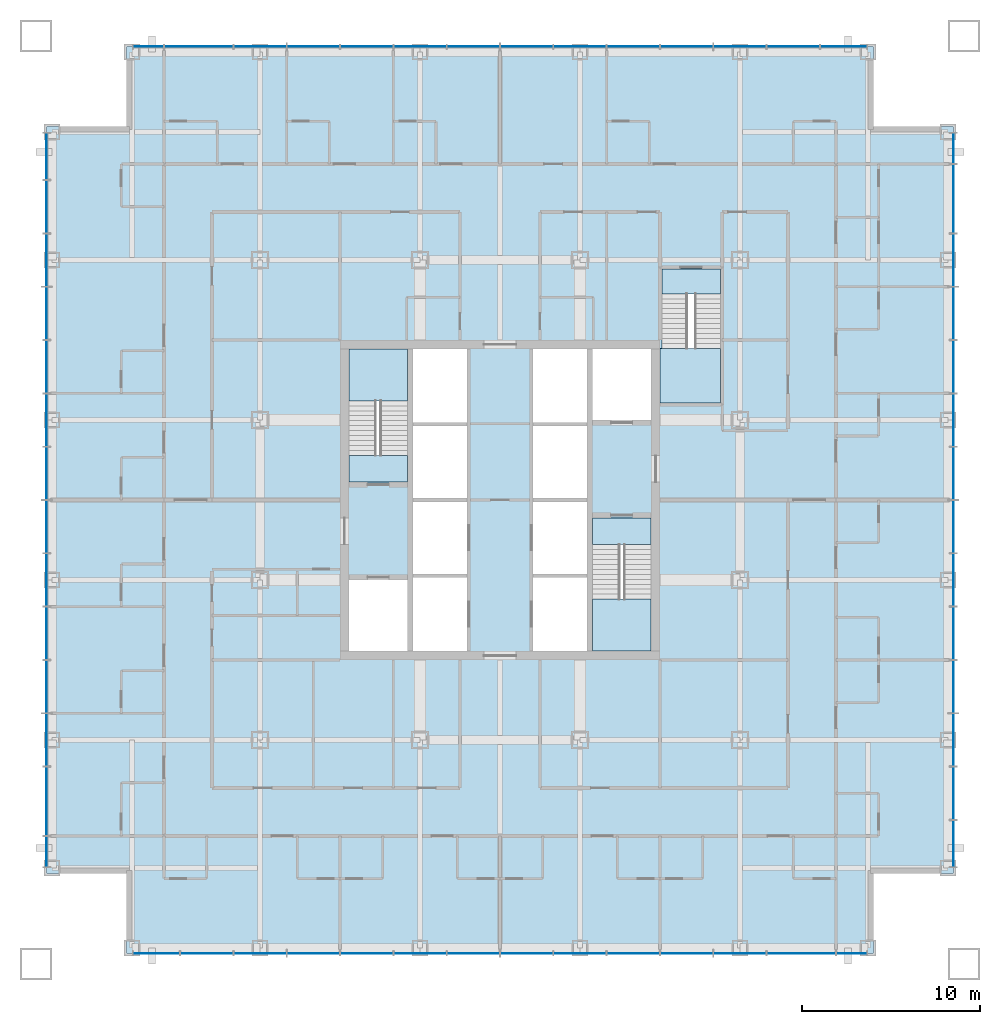
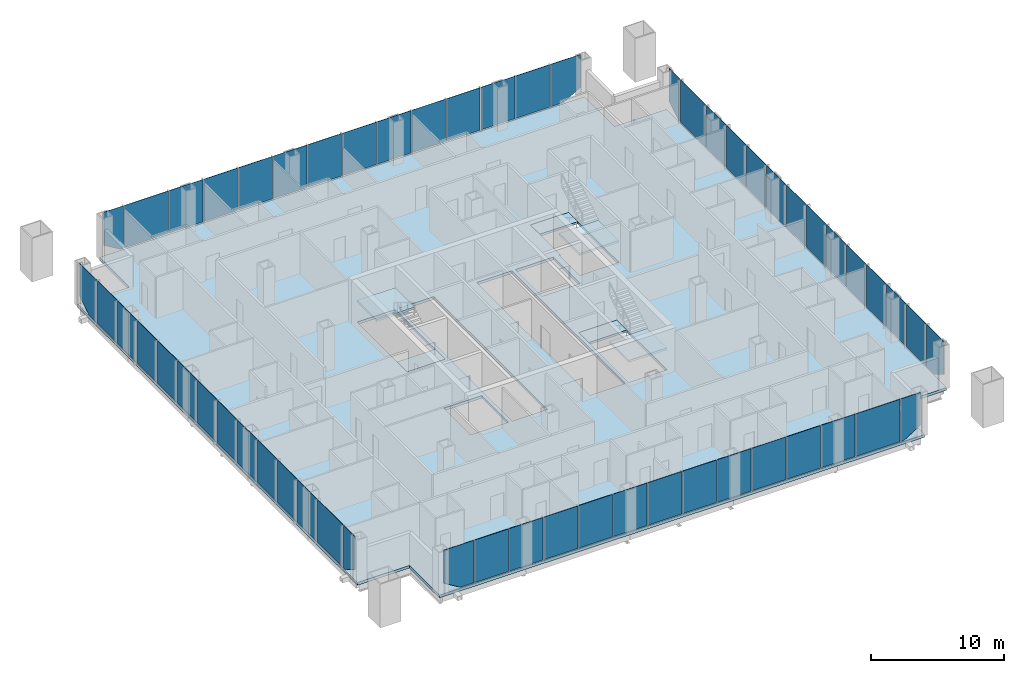
# One storey, part 6 of 12: 56 plates, 7 slabs, 7 elements without a shape of their own.
"""IFC4 building model written with IfcOpenShell, lengths in metres."""

from ifc_helpers import new_model, si_unit, direction, frame, origin, origin_2d, place, context, subcontext, project, spatial, polyline, rectangle, outline, extrude, material, layer, layer_set, type_object, element, aggregate, save


model = new_model("IFC4")

# Units and contexts
model_context = context("Model", 3, precision=1e-05, world=origin(), true_north=direction((0.0, 1.0)))
body_context = subcontext(model_context, "Body", "Model", "MODEL_VIEW")
ifc_project = project(units=[si_unit("LENGTHUNIT", "METRE"), si_unit("AREAUNIT", "SQUARE_METRE"), si_unit("VOLUMEUNIT", "CUBIC_METRE"), si_unit("PLANEANGLEUNIT", "RADIAN"), si_unit("MASSUNIT", "GRAM", prefix="KILO")], contexts=[model_context])

# Site, building, storey
site_placement = place(None, origin())
site = spatial("IfcSite", under=ifc_project, at=site_placement, CompositionType="ELEMENT")
building_placement = place(site_placement, origin())
building = spatial("IfcBuilding", under=site, at=building_placement, Name="Malebo Sky Hospital", CompositionType="ELEMENT")
storey_placement = place(building_placement, frame((0.0, 0.0, 59.0)))
storey = spatial("IfcBuildingStorey", under=building, at=storey_placement, Name="L13", CompositionType="ELEMENT", Elevation=59.0)

# Slab
ifc_material_1 = material(Name="Concrete C40/50", Category="concrete")
ifc_layer_1 = layer(ifc_material_1, 0.25)
ifc_layer_set_1 = layer_set([ifc_layer_1], Name="COMPOSITE FLOOR SLAB 250")
slab_type_1 = type_object("IfcSlabType", Name="COMPOSITE FLOOR SLAB 250", PredefinedType="FLOOR", material=ifc_layer_set_1)
slab_1_placement = place(storey_placement, frame((0.0, 0.0, -0.25)))
element("IfcSlab", 1, at=slab_1_placement, inside=storey, type_object=slab_type_1, Name="Floor slab L13", PredefinedType="FLOOR", context=body_context, shape_type="SweptSolid", body=[
    extrude(outline(polyline([(39.0, 87.5), (39.0, 83.0), (34.5, 83.0), (34.5, 41.0), (39.0, 41.0), (39.0, 36.5), (81.0, 36.5), (81.0, 41.0), (85.5, 41.0), (85.5, 83.0), (81.0, 83.0), (81.0, 87.5), (39.0, 87.5)]), holes=[polyline([(55.10009765625, 70.5), (58.14990234375, 70.5), (58.14990234375, 53.5), (55.10009765625, 53.5), (55.10009765625, 70.5)]), polyline([(64.89990234375, 70.5), (64.89990234375, 53.5), (61.85009765625, 53.5), (61.85009765625, 70.5), (64.89990234375, 70.5)]), polyline([(54.800048828125, 63.0), (51.5, 63.0), (51.5, 70.5), (54.800048828125, 70.5), (54.800048828125, 63.0)]), polyline([(51.5, 53.5), (51.5, 57.5), (54.800048828125, 57.5), (54.800048828125, 53.5), (51.5, 53.5)]), polyline([(65.199951171875, 61.0), (68.5, 61.0), (68.5, 53.5), (65.199951171875, 53.5), (65.199951171875, 61.0)]), polyline([(68.5, 70.5), (68.5, 66.5), (65.199951171875, 66.5), (65.199951171875, 70.5), (68.5, 70.5)]), polyline([(69.0, 67.449951171875), (69.0, 70.52001953125), (69.10009765625, 70.52001953125), (69.10009765625, 75.0), (72.39990234375, 75.0), (72.39990234375, 67.449951171875), (69.10009765625, 67.449951171875), (69.0, 67.449951171875)])]), origin(), (0.0, 0.0, 1.0), 0.25),
])

# Stair, slabs
stair_type_1 = type_object("IfcStairType", Name="HALF-TURN STAIR 1500 R167", PredefinedType="HALF_TURN_STAIR", material=ifc_material_1)
stair_1_placement = place(storey_placement, origin())
stair_1 = element("IfcStair", 2, at=stair_1_placement, inside=storey, type_object=stair_type_1, Name="Stair S1 L13 type ST1", PredefinedType="HALF_TURN_STAIR")
ifc_layer_2 = layer(ifc_material_1, 0.199951171875)
ifc_layer_set_2 = layer_set([ifc_layer_2], Name="STAIR LANDING 200")
slab_type_2 = type_object("IfcSlabType", Name="STAIR LANDING 200", PredefinedType="LANDING", material=ifc_layer_set_2)
slab_2_placement = place(storey_placement, frame((0.0, 0.0, -0.199951171875)))
slab_2 = element("IfcSlab", 3, at=slab_2_placement, type_object=slab_type_2, Name="S1 landing 1", PredefinedType="LANDING", context=body_context, shape_type="SweptSolid", body=[
    extrude(outline(polyline([(51.5, 63.0), (54.800048828125, 63.0), (54.800048828125, 64.5), (51.5, 64.5), (51.5, 63.0)])), origin(), (0.0, 0.0, 1.0), 0.199951171875),
])
slab_3_placement = place(storey_placement, frame((0.0, 0.0, 1.800048828125)))
slab_3 = element("IfcSlab", 4, at=slab_3_placement, type_object=slab_type_2, Name="S1 landing 2", PredefinedType="LANDING", context=body_context, shape_type="SweptSolid", body=[
    extrude(outline(polyline([(51.5, 67.580078125), (54.800048828125, 67.580078125), (54.800048828125, 70.5), (51.5, 70.5), (51.5, 67.580078125)])), origin(), (0.0, 0.0, 1.0), 0.199951171875),
])
aggregate(stair_1, [slab_2, slab_3])

stair_2_placement = place(storey_placement, origin())
stair_2 = element("IfcStair", 5, at=stair_2_placement, inside=storey, type_object=stair_type_1, Name="Stair S2 L13 type ST1", PredefinedType="HALF_TURN_STAIR")
slab_4_placement = place(storey_placement, frame((0.0, 0.0, -0.199951171875)))
slab_4 = element("IfcSlab", 6, at=slab_4_placement, type_object=slab_type_2, Name="S2 landing 1", PredefinedType="LANDING", context=body_context, shape_type="SweptSolid", body=[
    extrude(outline(polyline([(65.199951171875, 59.5), (68.5, 59.5), (68.5, 61.0), (65.199951171875, 61.0), (65.199951171875, 59.5)])), origin(), (0.0, 0.0, 1.0), 0.199951171875),
])
slab_5_placement = place(storey_placement, frame((0.0, 0.0, 1.800048828125)))
slab_5 = element("IfcSlab", 7, at=slab_5_placement, type_object=slab_type_2, Name="S2 landing 2", PredefinedType="LANDING", context=body_context, shape_type="SweptSolid", body=[
    extrude(outline(polyline([(65.199951171875, 53.5), (68.5, 53.5), (68.5, 56.419921875), (65.199951171875, 56.419921875), (65.199951171875, 53.5)])), origin(), (0.0, 0.0, 1.0), 0.199951171875),
])
aggregate(stair_2, [slab_4, slab_5])

stair_type_2 = type_object("IfcStairType", Name="HALF-TURN STAIR 1400 R167", PredefinedType="HALF_TURN_STAIR", material=ifc_material_1)
stair_3_placement = place(storey_placement, origin())
stair_3 = element("IfcStair", 8, at=stair_3_placement, inside=storey, type_object=stair_type_2, Name="Stair S3 L13 type ST1B", PredefinedType="HALF_TURN_STAIR")
slab_6_placement = place(storey_placement, frame((0.0, 0.0, -0.199951171875)))
slab_6 = element("IfcSlab", 9, at=slab_6_placement, type_object=slab_type_2, Name="S3 landing 1", PredefinedType="LANDING", context=body_context, shape_type="SweptSolid", body=[
    extrude(outline(polyline([(69.10009765625, 73.60009765625), (72.39990234375, 73.60009765625), (72.39990234375, 75.0), (69.10009765625, 75.0), (69.10009765625, 73.60009765625)])), origin(), (0.0, 0.0, 1.0), 0.199951171875),
])
slab_7_placement = place(storey_placement, frame((0.0, 0.0, 1.800048828125)))
slab_7 = element("IfcSlab", 10, at=slab_7_placement, type_object=slab_type_2, Name="S3 landing 2", PredefinedType="LANDING", context=body_context, shape_type="SweptSolid", body=[
    extrude(outline(polyline([(69.0, 67.449951171875), (72.39990234375, 67.449951171875), (72.39990234375, 70.52001953125), (69.0, 70.52001953125), (69.0, 67.449951171875)])), origin(), (0.0, 0.0, 1.0), 0.199951171875),
])
aggregate(stair_3, [slab_6, slab_7])

# Curtain wall, plates
ifc_material_2 = material(Name="Anodised aluminium, natural silver", Category="aluminium")
ifc_layer_3 = layer(ifc_material_2, 0.25)
ifc_layer_set_3 = layer_set([ifc_layer_3], Name="WARD CURTAIN WALL NORTH AND SOUTH")
curtain_wall_type_1 = type_object("IfcCurtainWallType", Name="WARD CURTAIN WALL NORTH AND SOUTH", PredefinedType="NOTDEFINED", material=ifc_layer_set_3)
curtain_wall_1_placement = place(storey_placement, origin())
curtain_wall_1 = element("IfcCurtainWall", 11, at=curtain_wall_1_placement, inside=storey, type_object=curtain_wall_type_1, Name="NS curtain wall N", PredefinedType="NOTDEFINED")
ifc_material_3 = material(Name="Clear low-iron double glazing", Category="glass")
ifc_layer_4 = layer(ifc_material_3, 0.031982421875)
ifc_layer_set_4 = layer_set([ifc_layer_4], Name="VISION PANEL CLEAR 32")
plate_type = type_object("IfcPlateType", Name="VISION PANEL CLEAR 32", PredefinedType="CURTAIN_PANEL", material=ifc_layer_set_4)
plate_1_placement = place(storey_placement, frame((40.21875, 87.5, 0.10009765625), z_axis=(0.0, 0.0, 1.0), x_axis=(1.0, 0.0, 0.0)))
plate_1 = element("IfcPlate", 12, at=plate_1_placement, type_object=plate_type, Name="Panel 1", PredefinedType="CURTAIN_PANEL", context=body_context, shape_type="SweptSolid", body=[
    extrude(outline(polyline([(0.58740234375, 0.0), (0.84375, 0.0), (0.84375, 3.889892578125), (-0.84375, 3.889892578125), (-0.84375, 0.87744140625), (0.58740234375, 0.0)])), frame((0.0, 0.01611328125, 0.0), z_axis=(0.0, -1.0, 0.0), x_axis=(1.0, 0.0, 0.0)), (0.0, 0.0, 1.0), 0.031982421875),
])
plate_2_placement = place(storey_placement, frame((43.050048828125, 87.5, 0.10009765625), z_axis=(0.0, 0.0, 1.0), x_axis=(1.0, 0.0, 0.0)))
plate_2 = element("IfcPlate", 13, at=plate_2_placement, type_object=plate_type, Name="Panel 2", PredefinedType="CURTAIN_PANEL", context=body_context, shape_type="SweptSolid", body=[
    extrude(rectangle(XDim=3.824951171875, YDim=0.031982421875, at=origin_2d()), origin(), (0.0, 0.0, 1.0), 3.889892578125),
])
plate_3_placement = place(storey_placement, frame((46.5, 87.5, 0.10009765625), z_axis=(0.0, 0.0, 1.0), x_axis=(1.0, 0.0, 0.0)))
plate_3 = element("IfcPlate", 14, at=plate_3_placement, type_object=plate_type, Name="Panel 3", PredefinedType="CURTAIN_PANEL", context=body_context, shape_type="SweptSolid", body=[
    extrude(rectangle(XDim=2.925048828125, YDim=0.031982421875, at=origin_2d()), origin(), (0.0, 0.0, 1.0), 3.889892578125),
])
plate_4_placement = place(storey_placement, frame((49.5, 87.5, 0.10009765625), z_axis=(0.0, 0.0, 1.0), x_axis=(1.0, 0.0, 0.0)))
plate_4 = element("IfcPlate", 15, at=plate_4_placement, type_object=plate_type, Name="Panel 4", PredefinedType="CURTAIN_PANEL", context=body_context, shape_type="SweptSolid", body=[
    extrude(rectangle(XDim=2.925048828125, YDim=0.031982421875, at=origin_2d()), origin(), (0.0, 0.0, 1.0), 3.889892578125),
])
plate_5_placement = place(storey_placement, frame((52.5, 87.5, 0.10009765625), z_axis=(0.0, 0.0, 1.0), x_axis=(1.0, 0.0, 0.0)))
plate_5 = element("IfcPlate", 16, at=plate_5_placement, type_object=plate_type, Name="Panel 5", PredefinedType="CURTAIN_PANEL", context=body_context, shape_type="SweptSolid", body=[
    extrude(rectangle(XDim=2.925048828125, YDim=0.031982421875, at=origin_2d()), origin(), (0.0, 0.0, 1.0), 3.889892578125),
])
plate_6_placement = place(storey_placement, frame((55.5, 87.5, 0.10009765625), z_axis=(0.0, 0.0, 1.0), x_axis=(1.0, 0.0, 0.0)))
plate_6 = element("IfcPlate", 17, at=plate_6_placement, type_object=plate_type, Name="Panel 6", PredefinedType="CURTAIN_PANEL", context=body_context, shape_type="SweptSolid", body=[
    extrude(rectangle(XDim=2.925048828125, YDim=0.031982421875, at=origin_2d()), origin(), (0.0, 0.0, 1.0), 3.889892578125),
])
plate_7_placement = place(storey_placement, frame((58.5, 87.5, 0.10009765625), z_axis=(0.0, 0.0, 1.0), x_axis=(1.0, 0.0, 0.0)))
plate_7 = element("IfcPlate", 18, at=plate_7_placement, type_object=plate_type, Name="Panel 7", PredefinedType="CURTAIN_PANEL", context=body_context, shape_type="SweptSolid", body=[
    extrude(rectangle(XDim=2.925048828125, YDim=0.031982421875, at=origin_2d()), origin(), (0.0, 0.0, 1.0), 3.889892578125),
])
plate_8_placement = place(storey_placement, frame((61.5, 87.5, 0.10009765625), z_axis=(0.0, 0.0, 1.0), x_axis=(1.0, 0.0, 0.0)))
plate_8 = element("IfcPlate", 19, at=plate_8_placement, type_object=plate_type, Name="Panel 8", PredefinedType="CURTAIN_PANEL", context=body_context, shape_type="SweptSolid", body=[
    extrude(rectangle(XDim=2.925048828125, YDim=0.031982421875, at=origin_2d()), origin(), (0.0, 0.0, 1.0), 3.889892578125),
])
plate_9_placement = place(storey_placement, frame((64.5, 87.5, 0.10009765625), z_axis=(0.0, 0.0, 1.0), x_axis=(1.0, 0.0, 0.0)))
plate_9 = element("IfcPlate", 20, at=plate_9_placement, type_object=plate_type, Name="Panel 9", PredefinedType="CURTAIN_PANEL", context=body_context, shape_type="SweptSolid", body=[
    extrude(rectangle(XDim=2.925048828125, YDim=0.031982421875, at=origin_2d()), origin(), (0.0, 0.0, 1.0), 3.889892578125),
])
plate_10_placement = place(storey_placement, frame((67.5, 87.5, 0.10009765625), z_axis=(0.0, 0.0, 1.0), x_axis=(1.0, 0.0, 0.0)))
plate_10 = element("IfcPlate", 21, at=plate_10_placement, type_object=plate_type, Name="Panel 10", PredefinedType="CURTAIN_PANEL", context=body_context, shape_type="SweptSolid", body=[
    extrude(rectangle(XDim=2.925048828125, YDim=0.031982421875, at=origin_2d()), origin(), (0.0, 0.0, 1.0), 3.889892578125),
])
plate_11_placement = place(storey_placement, frame((70.5, 87.5, 0.10009765625), z_axis=(0.0, 0.0, 1.0), x_axis=(1.0, 0.0, 0.0)))
plate_11 = element("IfcPlate", 22, at=plate_11_placement, type_object=plate_type, Name="Panel 11", PredefinedType="CURTAIN_PANEL", context=body_context, shape_type="SweptSolid", body=[
    extrude(rectangle(XDim=2.925048828125, YDim=0.031982421875, at=origin_2d()), origin(), (0.0, 0.0, 1.0), 3.889892578125),
])
plate_12_placement = place(storey_placement, frame((73.5, 87.5, 0.10009765625), z_axis=(0.0, 0.0, 1.0), x_axis=(1.0, 0.0, 0.0)))
plate_12 = element("IfcPlate", 23, at=plate_12_placement, type_object=plate_type, Name="Panel 12", PredefinedType="CURTAIN_PANEL", context=body_context, shape_type="SweptSolid", body=[
    extrude(rectangle(XDim=2.925048828125, YDim=0.031982421875, at=origin_2d()), origin(), (0.0, 0.0, 1.0), 3.889892578125),
])
plate_13_placement = place(storey_placement, frame((76.5, 87.5, 0.10009765625), z_axis=(0.0, 0.0, 1.0), x_axis=(1.0, 0.0, 0.0)))
plate_13 = element("IfcPlate", 24, at=plate_13_placement, type_object=plate_type, Name="Panel 13", PredefinedType="CURTAIN_PANEL", context=body_context, shape_type="SweptSolid", body=[
    extrude(rectangle(XDim=2.925048828125, YDim=0.031982421875, at=origin_2d()), origin(), (0.0, 0.0, 1.0), 3.889892578125),
])
plate_14_placement = place(storey_placement, frame((79.331298828125, 87.5, 0.10009765625), z_axis=(0.0, 0.0, 1.0), x_axis=(1.0, 0.0, 0.0)))
plate_14 = element("IfcPlate", 25, at=plate_14_placement, type_object=plate_type, Name="Panel 14", PredefinedType="CURTAIN_PANEL", context=body_context, shape_type="SweptSolid", body=[
    extrude(outline(polyline([(-1.293701171875, 0.0), (-0.137451171875, 0.0), (1.293701171875, 0.87744140625), (1.293701171875, 3.889892578125), (-1.293701171875, 3.889892578125), (-1.293701171875, 0.0)])), frame((0.0, 0.01611328125, 0.0), z_axis=(0.0, -1.0, 0.0), x_axis=(1.0, 0.0, 0.0)), (0.0, 0.0, 1.0), 0.031982421875),
])
aggregate(curtain_wall_1, [plate_1, plate_2, plate_3, plate_4, plate_5, plate_6, plate_7, plate_8, plate_9, plate_10, plate_11, plate_12, plate_13, plate_14])

ifc_layer_5 = layer(ifc_material_2, 0.25)
ifc_layer_set_5 = layer_set([ifc_layer_5], Name="WARD CURTAIN WALL EAST AND WEST")
curtain_wall_type_2 = type_object("IfcCurtainWallType", Name="WARD CURTAIN WALL EAST AND WEST", PredefinedType="NOTDEFINED", material=ifc_layer_set_5)
curtain_wall_2_placement = place(storey_placement, origin())
curtain_wall_2 = element("IfcCurtainWall", 26, at=curtain_wall_2_placement, inside=storey, type_object=curtain_wall_type_2, Name="EW curtain wall W", PredefinedType="NOTDEFINED")
plate_15_placement = place(storey_placement, frame((34.5, 42.21875, 0.10009765625), z_axis=(0.0, 0.0, 1.0), x_axis=(0.0, 1.0, 0.0)))
plate_15 = element("IfcPlate", 27, at=plate_15_placement, type_object=plate_type, Name="Panel 1", PredefinedType="CURTAIN_PANEL", context=body_context, shape_type="SweptSolid", body=[
    extrude(outline(polyline([(0.58740234375, 0.0), (0.84375, 0.0), (0.84375, 3.889892578125), (-0.84375, 3.889892578125), (-0.84375, 0.87744140625), (0.58740234375, 0.0)])), frame((0.0, 0.01611328125, 0.0), z_axis=(0.0, -1.0, 0.0), x_axis=(1.0, 0.0, 0.0)), (0.0, 0.0, 1.0), 0.031982421875),
])
plate_16_placement = place(storey_placement, frame((34.5, 45.050048828125, 0.10009765625), z_axis=(0.0, 0.0, 1.0), x_axis=(0.0, 1.0, 0.0)))
plate_16 = element("IfcPlate", 28, at=plate_16_placement, type_object=plate_type, Name="Panel 2", PredefinedType="CURTAIN_PANEL", context=body_context, shape_type="SweptSolid", body=[
    extrude(rectangle(XDim=3.824951171875, YDim=0.031982421875, at=origin_2d()), origin(), (0.0, 0.0, 1.0), 3.889892578125),
])
plate_17_placement = place(storey_placement, frame((34.5, 48.5, 0.10009765625), z_axis=(0.0, 0.0, 1.0), x_axis=(0.0, 1.0, 0.0)))
plate_17 = element("IfcPlate", 29, at=plate_17_placement, type_object=plate_type, Name="Panel 3", PredefinedType="CURTAIN_PANEL", context=body_context, shape_type="SweptSolid", body=[
    extrude(rectangle(XDim=2.925048828125, YDim=0.031982421875, at=origin_2d()), origin(), (0.0, 0.0, 1.0), 3.889892578125),
])
plate_18_placement = place(storey_placement, frame((34.5, 51.5, 0.10009765625), z_axis=(0.0, 0.0, 1.0), x_axis=(0.0, 1.0, 0.0)))
plate_18 = element("IfcPlate", 30, at=plate_18_placement, type_object=plate_type, Name="Panel 4", PredefinedType="CURTAIN_PANEL", context=body_context, shape_type="SweptSolid", body=[
    extrude(rectangle(XDim=2.925048828125, YDim=0.031982421875, at=origin_2d()), origin(), (0.0, 0.0, 1.0), 3.889892578125),
])
plate_19_placement = place(storey_placement, frame((34.5, 54.5, 0.10009765625), z_axis=(0.0, 0.0, 1.0), x_axis=(0.0, 1.0, 0.0)))
plate_19 = element("IfcPlate", 31, at=plate_19_placement, type_object=plate_type, Name="Panel 5", PredefinedType="CURTAIN_PANEL", context=body_context, shape_type="SweptSolid", body=[
    extrude(rectangle(XDim=2.925048828125, YDim=0.031982421875, at=origin_2d()), origin(), (0.0, 0.0, 1.0), 3.889892578125),
])
plate_20_placement = place(storey_placement, frame((34.5, 57.5, 0.10009765625), z_axis=(0.0, 0.0, 1.0), x_axis=(0.0, 1.0, 0.0)))
plate_20 = element("IfcPlate", 32, at=plate_20_placement, type_object=plate_type, Name="Panel 6", PredefinedType="CURTAIN_PANEL", context=body_context, shape_type="SweptSolid", body=[
    extrude(rectangle(XDim=2.925048828125, YDim=0.031982421875, at=origin_2d()), origin(), (0.0, 0.0, 1.0), 3.889892578125),
])
plate_21_placement = place(storey_placement, frame((34.5, 60.5, 0.10009765625), z_axis=(0.0, 0.0, 1.0), x_axis=(0.0, 1.0, 0.0)))
plate_21 = element("IfcPlate", 33, at=plate_21_placement, type_object=plate_type, Name="Panel 7", PredefinedType="CURTAIN_PANEL", context=body_context, shape_type="SweptSolid", body=[
    extrude(rectangle(XDim=2.925048828125, YDim=0.031982421875, at=origin_2d()), origin(), (0.0, 0.0, 1.0), 3.889892578125),
])
plate_22_placement = place(storey_placement, frame((34.5, 63.5, 0.10009765625), z_axis=(0.0, 0.0, 1.0), x_axis=(0.0, 1.0, 0.0)))
plate_22 = element("IfcPlate", 34, at=plate_22_placement, type_object=plate_type, Name="Panel 8", PredefinedType="CURTAIN_PANEL", context=body_context, shape_type="SweptSolid", body=[
    extrude(rectangle(XDim=2.925048828125, YDim=0.031982421875, at=origin_2d()), origin(), (0.0, 0.0, 1.0), 3.889892578125),
])
plate_23_placement = place(storey_placement, frame((34.5, 66.5, 0.10009765625), z_axis=(0.0, 0.0, 1.0), x_axis=(0.0, 1.0, 0.0)))
plate_23 = element("IfcPlate", 35, at=plate_23_placement, type_object=plate_type, Name="Panel 9", PredefinedType="CURTAIN_PANEL", context=body_context, shape_type="SweptSolid", body=[
    extrude(rectangle(XDim=2.925048828125, YDim=0.031982421875, at=origin_2d()), origin(), (0.0, 0.0, 1.0), 3.889892578125),
])
plate_24_placement = place(storey_placement, frame((34.5, 69.5, 0.10009765625), z_axis=(0.0, 0.0, 1.0), x_axis=(0.0, 1.0, 0.0)))
plate_24 = element("IfcPlate", 36, at=plate_24_placement, type_object=plate_type, Name="Panel 10", PredefinedType="CURTAIN_PANEL", context=body_context, shape_type="SweptSolid", body=[
    extrude(rectangle(XDim=2.925048828125, YDim=0.031982421875, at=origin_2d()), origin(), (0.0, 0.0, 1.0), 3.889892578125),
])
plate_25_placement = place(storey_placement, frame((34.5, 72.5, 0.10009765625), z_axis=(0.0, 0.0, 1.0), x_axis=(0.0, 1.0, 0.0)))
plate_25 = element("IfcPlate", 37, at=plate_25_placement, type_object=plate_type, Name="Panel 11", PredefinedType="CURTAIN_PANEL", context=body_context, shape_type="SweptSolid", body=[
    extrude(rectangle(XDim=2.925048828125, YDim=0.031982421875, at=origin_2d()), origin(), (0.0, 0.0, 1.0), 3.889892578125),
])
plate_26_placement = place(storey_placement, frame((34.5, 75.5, 0.10009765625), z_axis=(0.0, 0.0, 1.0), x_axis=(0.0, 1.0, 0.0)))
plate_26 = element("IfcPlate", 38, at=plate_26_placement, type_object=plate_type, Name="Panel 12", PredefinedType="CURTAIN_PANEL", context=body_context, shape_type="SweptSolid", body=[
    extrude(rectangle(XDim=2.925048828125, YDim=0.031982421875, at=origin_2d()), origin(), (0.0, 0.0, 1.0), 3.889892578125),
])
plate_27_placement = place(storey_placement, frame((34.5, 78.5, 0.10009765625), z_axis=(0.0, 0.0, 1.0), x_axis=(0.0, 1.0, 0.0)))
plate_27 = element("IfcPlate", 39, at=plate_27_placement, type_object=plate_type, Name="Panel 13", PredefinedType="CURTAIN_PANEL", context=body_context, shape_type="SweptSolid", body=[
    extrude(rectangle(XDim=2.925048828125, YDim=0.031982421875, at=origin_2d()), origin(), (0.0, 0.0, 1.0), 3.889892578125),
])
plate_28_placement = place(storey_placement, frame((34.5, 81.331298828125, 0.10009765625), z_axis=(0.0, 0.0, 1.0), x_axis=(0.0, 1.0, 0.0)))
plate_28 = element("IfcPlate", 40, at=plate_28_placement, type_object=plate_type, Name="Panel 14", PredefinedType="CURTAIN_PANEL", context=body_context, shape_type="SweptSolid", body=[
    extrude(outline(polyline([(-1.293701171875, 0.0), (-0.137451171875, 0.0), (1.293701171875, 0.87744140625), (1.293701171875, 3.889892578125), (-1.293701171875, 3.889892578125), (-1.293701171875, 0.0)])), frame((0.0, 0.01611328125, 0.0), z_axis=(0.0, -1.0, 0.0), x_axis=(1.0, 0.0, 0.0)), (0.0, 0.0, 1.0), 0.031982421875),
])
aggregate(curtain_wall_2, [plate_15, plate_16, plate_17, plate_18, plate_19, plate_20, plate_21, plate_22, plate_23, plate_24, plate_25, plate_26, plate_27, plate_28])

curtain_wall_3_placement = place(storey_placement, origin())
curtain_wall_3 = element("IfcCurtainWall", 41, at=curtain_wall_3_placement, inside=storey, type_object=curtain_wall_type_1, Name="NS curtain wall S", PredefinedType="NOTDEFINED")
plate_29_placement = place(storey_placement, frame((79.78125, 36.5, 0.10009765625), z_axis=(0.0, 0.0, 1.0), x_axis=(-1.0, 0.0, 0.0)))
plate_29 = element("IfcPlate", 42, at=plate_29_placement, type_object=plate_type, Name="Panel 1", PredefinedType="CURTAIN_PANEL", context=body_context, shape_type="SweptSolid", body=[
    extrude(outline(polyline([(0.58740234375, 0.0), (0.84375, 0.0), (0.84375, 3.889892578125), (-0.84375, 3.889892578125), (-0.84375, 0.87744140625), (0.58740234375, 0.0)])), frame((0.0, 0.01611328125, 0.0), z_axis=(0.0, -1.0, 0.0), x_axis=(1.0, 0.0, 0.0)), (0.0, 0.0, 1.0), 0.031982421875),
])
plate_30_placement = place(storey_placement, frame((76.949951171875, 36.5, 0.10009765625), z_axis=(0.0, 0.0, 1.0), x_axis=(-1.0, 0.0, 0.0)))
plate_30 = element("IfcPlate", 43, at=plate_30_placement, type_object=plate_type, Name="Panel 2", PredefinedType="CURTAIN_PANEL", context=body_context, shape_type="SweptSolid", body=[
    extrude(rectangle(XDim=3.824951171875, YDim=0.031982421875, at=origin_2d()), origin(), (0.0, 0.0, 1.0), 3.889892578125),
])
plate_31_placement = place(storey_placement, frame((73.5, 36.5, 0.10009765625), z_axis=(0.0, 0.0, 1.0), x_axis=(-1.0, 0.0, 0.0)))
plate_31 = element("IfcPlate", 44, at=plate_31_placement, type_object=plate_type, Name="Panel 3", PredefinedType="CURTAIN_PANEL", context=body_context, shape_type="SweptSolid", body=[
    extrude(rectangle(XDim=2.925048828125, YDim=0.031982421875, at=origin_2d()), origin(), (0.0, 0.0, 1.0), 3.889892578125),
])
plate_32_placement = place(storey_placement, frame((70.5, 36.5, 0.10009765625), z_axis=(0.0, 0.0, 1.0), x_axis=(-1.0, 0.0, 0.0)))
plate_32 = element("IfcPlate", 45, at=plate_32_placement, type_object=plate_type, Name="Panel 4", PredefinedType="CURTAIN_PANEL", context=body_context, shape_type="SweptSolid", body=[
    extrude(rectangle(XDim=2.925048828125, YDim=0.031982421875, at=origin_2d()), origin(), (0.0, 0.0, 1.0), 3.889892578125),
])
plate_33_placement = place(storey_placement, frame((67.5, 36.5, 0.10009765625), z_axis=(0.0, 0.0, 1.0), x_axis=(-1.0, 0.0, 0.0)))
plate_33 = element("IfcPlate", 46, at=plate_33_placement, type_object=plate_type, Name="Panel 5", PredefinedType="CURTAIN_PANEL", context=body_context, shape_type="SweptSolid", body=[
    extrude(rectangle(XDim=2.925048828125, YDim=0.031982421875, at=origin_2d()), origin(), (0.0, 0.0, 1.0), 3.889892578125),
])
plate_34_placement = place(storey_placement, frame((64.5, 36.5, 0.10009765625), z_axis=(0.0, 0.0, 1.0), x_axis=(-1.0, 0.0, 0.0)))
plate_34 = element("IfcPlate", 47, at=plate_34_placement, type_object=plate_type, Name="Panel 6", PredefinedType="CURTAIN_PANEL", context=body_context, shape_type="SweptSolid", body=[
    extrude(rectangle(XDim=2.925048828125, YDim=0.031982421875, at=origin_2d()), origin(), (0.0, 0.0, 1.0), 3.889892578125),
])
plate_35_placement = place(storey_placement, frame((61.5, 36.5, 0.10009765625), z_axis=(0.0, 0.0, 1.0), x_axis=(-1.0, 0.0, 0.0)))
plate_35 = element("IfcPlate", 48, at=plate_35_placement, type_object=plate_type, Name="Panel 7", PredefinedType="CURTAIN_PANEL", context=body_context, shape_type="SweptSolid", body=[
    extrude(rectangle(XDim=2.925048828125, YDim=0.031982421875, at=origin_2d()), origin(), (0.0, 0.0, 1.0), 3.889892578125),
])
plate_36_placement = place(storey_placement, frame((58.5, 36.5, 0.10009765625), z_axis=(0.0, 0.0, 1.0), x_axis=(-1.0, 0.0, 0.0)))
plate_36 = element("IfcPlate", 49, at=plate_36_placement, type_object=plate_type, Name="Panel 8", PredefinedType="CURTAIN_PANEL", context=body_context, shape_type="SweptSolid", body=[
    extrude(rectangle(XDim=2.925048828125, YDim=0.031982421875, at=origin_2d()), origin(), (0.0, 0.0, 1.0), 3.889892578125),
])
plate_37_placement = place(storey_placement, frame((55.5, 36.5, 0.10009765625), z_axis=(0.0, 0.0, 1.0), x_axis=(-1.0, 0.0, 0.0)))
plate_37 = element("IfcPlate", 50, at=plate_37_placement, type_object=plate_type, Name="Panel 9", PredefinedType="CURTAIN_PANEL", context=body_context, shape_type="SweptSolid", body=[
    extrude(rectangle(XDim=2.925048828125, YDim=0.031982421875, at=origin_2d()), origin(), (0.0, 0.0, 1.0), 3.889892578125),
])
plate_38_placement = place(storey_placement, frame((52.5, 36.5, 0.10009765625), z_axis=(0.0, 0.0, 1.0), x_axis=(-1.0, 0.0, 0.0)))
plate_38 = element("IfcPlate", 51, at=plate_38_placement, type_object=plate_type, Name="Panel 10", PredefinedType="CURTAIN_PANEL", context=body_context, shape_type="SweptSolid", body=[
    extrude(rectangle(XDim=2.925048828125, YDim=0.031982421875, at=origin_2d()), origin(), (0.0, 0.0, 1.0), 3.889892578125),
])
plate_39_placement = place(storey_placement, frame((49.5, 36.5, 0.10009765625), z_axis=(0.0, 0.0, 1.0), x_axis=(-1.0, 0.0, 0.0)))
plate_39 = element("IfcPlate", 52, at=plate_39_placement, type_object=plate_type, Name="Panel 11", PredefinedType="CURTAIN_PANEL", context=body_context, shape_type="SweptSolid", body=[
    extrude(rectangle(XDim=2.925048828125, YDim=0.031982421875, at=origin_2d()), origin(), (0.0, 0.0, 1.0), 3.889892578125),
])
plate_40_placement = place(storey_placement, frame((46.5, 36.5, 0.10009765625), z_axis=(0.0, 0.0, 1.0), x_axis=(-1.0, 0.0, 0.0)))
plate_40 = element("IfcPlate", 53, at=plate_40_placement, type_object=plate_type, Name="Panel 12", PredefinedType="CURTAIN_PANEL", context=body_context, shape_type="SweptSolid", body=[
    extrude(rectangle(XDim=2.925048828125, YDim=0.031982421875, at=origin_2d()), origin(), (0.0, 0.0, 1.0), 3.889892578125),
])
plate_41_placement = place(storey_placement, frame((43.5, 36.5, 0.10009765625), z_axis=(0.0, 0.0, 1.0), x_axis=(-1.0, 0.0, 0.0)))
plate_41 = element("IfcPlate", 54, at=plate_41_placement, type_object=plate_type, Name="Panel 13", PredefinedType="CURTAIN_PANEL", context=body_context, shape_type="SweptSolid", body=[
    extrude(rectangle(XDim=2.925048828125, YDim=0.031982421875, at=origin_2d()), origin(), (0.0, 0.0, 1.0), 3.889892578125),
])
plate_42_placement = place(storey_placement, frame((40.668701171875, 36.5, 0.10009765625), z_axis=(0.0, 0.0, 1.0), x_axis=(-1.0, 0.0, 0.0)))
plate_42 = element("IfcPlate", 55, at=plate_42_placement, type_object=plate_type, Name="Panel 14", PredefinedType="CURTAIN_PANEL", context=body_context, shape_type="SweptSolid", body=[
    extrude(outline(polyline([(-1.293701171875, 0.0), (-0.137451171875, 0.0), (1.293701171875, 0.87744140625), (1.293701171875, 3.889892578125), (-1.293701171875, 3.889892578125), (-1.293701171875, 0.0)])), frame((0.0, 0.01611328125, 0.0), z_axis=(0.0, -1.0, 0.0), x_axis=(1.0, 0.0, 0.0)), (0.0, 0.0, 1.0), 0.031982421875),
])
aggregate(curtain_wall_3, [plate_29, plate_30, plate_31, plate_32, plate_33, plate_34, plate_35, plate_36, plate_37, plate_38, plate_39, plate_40, plate_41, plate_42])

curtain_wall_4_placement = place(storey_placement, origin())
curtain_wall_4 = element("IfcCurtainWall", 56, at=curtain_wall_4_placement, inside=storey, type_object=curtain_wall_type_2, Name="EW curtain wall E", PredefinedType="NOTDEFINED")
plate_43_placement = place(storey_placement, frame((85.5, 81.78125, 0.10009765625), z_axis=(0.0, 0.0, 1.0), x_axis=(0.0, -1.0, 0.0)))
plate_43 = element("IfcPlate", 57, at=plate_43_placement, type_object=plate_type, Name="Panel 1", PredefinedType="CURTAIN_PANEL", context=body_context, shape_type="SweptSolid", body=[
    extrude(outline(polyline([(0.58740234375, 0.0), (0.84375, 0.0), (0.84375, 3.889892578125), (-0.84375, 3.889892578125), (-0.84375, 0.87744140625), (0.58740234375, 0.0)])), frame((0.0, 0.01611328125, 0.0), z_axis=(0.0, -1.0, 0.0), x_axis=(1.0, 0.0, 0.0)), (0.0, 0.0, 1.0), 0.031982421875),
])
plate_44_placement = place(storey_placement, frame((85.5, 78.949951171875, 0.10009765625), z_axis=(0.0, 0.0, 1.0), x_axis=(0.0, -1.0, 0.0)))
plate_44 = element("IfcPlate", 58, at=plate_44_placement, type_object=plate_type, Name="Panel 2", PredefinedType="CURTAIN_PANEL", context=body_context, shape_type="SweptSolid", body=[
    extrude(rectangle(XDim=3.824951171875, YDim=0.031982421875, at=origin_2d()), origin(), (0.0, 0.0, 1.0), 3.889892578125),
])
plate_45_placement = place(storey_placement, frame((85.5, 75.5, 0.10009765625), z_axis=(0.0, 0.0, 1.0), x_axis=(0.0, -1.0, 0.0)))
plate_45 = element("IfcPlate", 59, at=plate_45_placement, type_object=plate_type, Name="Panel 3", PredefinedType="CURTAIN_PANEL", context=body_context, shape_type="SweptSolid", body=[
    extrude(rectangle(XDim=2.925048828125, YDim=0.031982421875, at=origin_2d()), origin(), (0.0, 0.0, 1.0), 3.889892578125),
])
plate_46_placement = place(storey_placement, frame((85.5, 72.5, 0.10009765625), z_axis=(0.0, 0.0, 1.0), x_axis=(0.0, -1.0, 0.0)))
plate_46 = element("IfcPlate", 60, at=plate_46_placement, type_object=plate_type, Name="Panel 4", PredefinedType="CURTAIN_PANEL", context=body_context, shape_type="SweptSolid", body=[
    extrude(rectangle(XDim=2.925048828125, YDim=0.031982421875, at=origin_2d()), origin(), (0.0, 0.0, 1.0), 3.889892578125),
])
plate_47_placement = place(storey_placement, frame((85.5, 69.5, 0.10009765625), z_axis=(0.0, 0.0, 1.0), x_axis=(0.0, -1.0, 0.0)))
plate_47 = element("IfcPlate", 61, at=plate_47_placement, type_object=plate_type, Name="Panel 5", PredefinedType="CURTAIN_PANEL", context=body_context, shape_type="SweptSolid", body=[
    extrude(rectangle(XDim=2.925048828125, YDim=0.031982421875, at=origin_2d()), origin(), (0.0, 0.0, 1.0), 3.889892578125),
])
plate_48_placement = place(storey_placement, frame((85.5, 66.5, 0.10009765625), z_axis=(0.0, 0.0, 1.0), x_axis=(0.0, -1.0, 0.0)))
plate_48 = element("IfcPlate", 62, at=plate_48_placement, type_object=plate_type, Name="Panel 6", PredefinedType="CURTAIN_PANEL", context=body_context, shape_type="SweptSolid", body=[
    extrude(rectangle(XDim=2.925048828125, YDim=0.031982421875, at=origin_2d()), origin(), (0.0, 0.0, 1.0), 3.889892578125),
])
plate_49_placement = place(storey_placement, frame((85.5, 63.5, 0.10009765625), z_axis=(0.0, 0.0, 1.0), x_axis=(0.0, -1.0, 0.0)))
plate_49 = element("IfcPlate", 63, at=plate_49_placement, type_object=plate_type, Name="Panel 7", PredefinedType="CURTAIN_PANEL", context=body_context, shape_type="SweptSolid", body=[
    extrude(rectangle(XDim=2.925048828125, YDim=0.031982421875, at=origin_2d()), origin(), (0.0, 0.0, 1.0), 3.889892578125),
])
plate_50_placement = place(storey_placement, frame((85.5, 60.5, 0.10009765625), z_axis=(0.0, 0.0, 1.0), x_axis=(0.0, -1.0, 0.0)))
plate_50 = element("IfcPlate", 64, at=plate_50_placement, type_object=plate_type, Name="Panel 8", PredefinedType="CURTAIN_PANEL", context=body_context, shape_type="SweptSolid", body=[
    extrude(rectangle(XDim=2.925048828125, YDim=0.031982421875, at=origin_2d()), origin(), (0.0, 0.0, 1.0), 3.889892578125),
])
plate_51_placement = place(storey_placement, frame((85.5, 57.5, 0.10009765625), z_axis=(0.0, 0.0, 1.0), x_axis=(0.0, -1.0, 0.0)))
plate_51 = element("IfcPlate", 65, at=plate_51_placement, type_object=plate_type, Name="Panel 9", PredefinedType="CURTAIN_PANEL", context=body_context, shape_type="SweptSolid", body=[
    extrude(rectangle(XDim=2.925048828125, YDim=0.031982421875, at=origin_2d()), origin(), (0.0, 0.0, 1.0), 3.889892578125),
])
plate_52_placement = place(storey_placement, frame((85.5, 54.5, 0.10009765625), z_axis=(0.0, 0.0, 1.0), x_axis=(0.0, -1.0, 0.0)))
plate_52 = element("IfcPlate", 66, at=plate_52_placement, type_object=plate_type, Name="Panel 10", PredefinedType="CURTAIN_PANEL", context=body_context, shape_type="SweptSolid", body=[
    extrude(rectangle(XDim=2.925048828125, YDim=0.031982421875, at=origin_2d()), origin(), (0.0, 0.0, 1.0), 3.889892578125),
])
plate_53_placement = place(storey_placement, frame((85.5, 51.5, 0.10009765625), z_axis=(0.0, 0.0, 1.0), x_axis=(0.0, -1.0, 0.0)))
plate_53 = element("IfcPlate", 67, at=plate_53_placement, type_object=plate_type, Name="Panel 11", PredefinedType="CURTAIN_PANEL", context=body_context, shape_type="SweptSolid", body=[
    extrude(rectangle(XDim=2.925048828125, YDim=0.031982421875, at=origin_2d()), origin(), (0.0, 0.0, 1.0), 3.889892578125),
])
plate_54_placement = place(storey_placement, frame((85.5, 48.5, 0.10009765625), z_axis=(0.0, 0.0, 1.0), x_axis=(0.0, -1.0, 0.0)))
plate_54 = element("IfcPlate", 68, at=plate_54_placement, type_object=plate_type, Name="Panel 12", PredefinedType="CURTAIN_PANEL", context=body_context, shape_type="SweptSolid", body=[
    extrude(rectangle(XDim=2.925048828125, YDim=0.031982421875, at=origin_2d()), origin(), (0.0, 0.0, 1.0), 3.889892578125),
])
plate_55_placement = place(storey_placement, frame((85.5, 45.5, 0.10009765625), z_axis=(0.0, 0.0, 1.0), x_axis=(0.0, -1.0, 0.0)))
plate_55 = element("IfcPlate", 69, at=plate_55_placement, type_object=plate_type, Name="Panel 13", PredefinedType="CURTAIN_PANEL", context=body_context, shape_type="SweptSolid", body=[
    extrude(rectangle(XDim=2.925048828125, YDim=0.031982421875, at=origin_2d()), origin(), (0.0, 0.0, 1.0), 3.889892578125),
])
plate_56_placement = place(storey_placement, frame((85.5, 42.668701171875, 0.10009765625), z_axis=(0.0, 0.0, 1.0), x_axis=(0.0, -1.0, 0.0)))
plate_56 = element("IfcPlate", 70, at=plate_56_placement, type_object=plate_type, Name="Panel 14", PredefinedType="CURTAIN_PANEL", context=body_context, shape_type="SweptSolid", body=[
    extrude(outline(polyline([(-1.293701171875, 0.0), (-0.137451171875, 0.0), (1.293701171875, 0.87744140625), (1.293701171875, 3.889892578125), (-1.293701171875, 3.889892578125), (-1.293701171875, 0.0)])), frame((0.0, 0.01611328125, 0.0), z_axis=(0.0, -1.0, 0.0), x_axis=(1.0, 0.0, 0.0)), (0.0, 0.0, 1.0), 0.031982421875),
])
aggregate(curtain_wall_4, [plate_43, plate_44, plate_45, plate_46, plate_47, plate_48, plate_49, plate_50, plate_51, plate_52, plate_53, plate_54, plate_55, plate_56])

save(model, "model.ifc")
